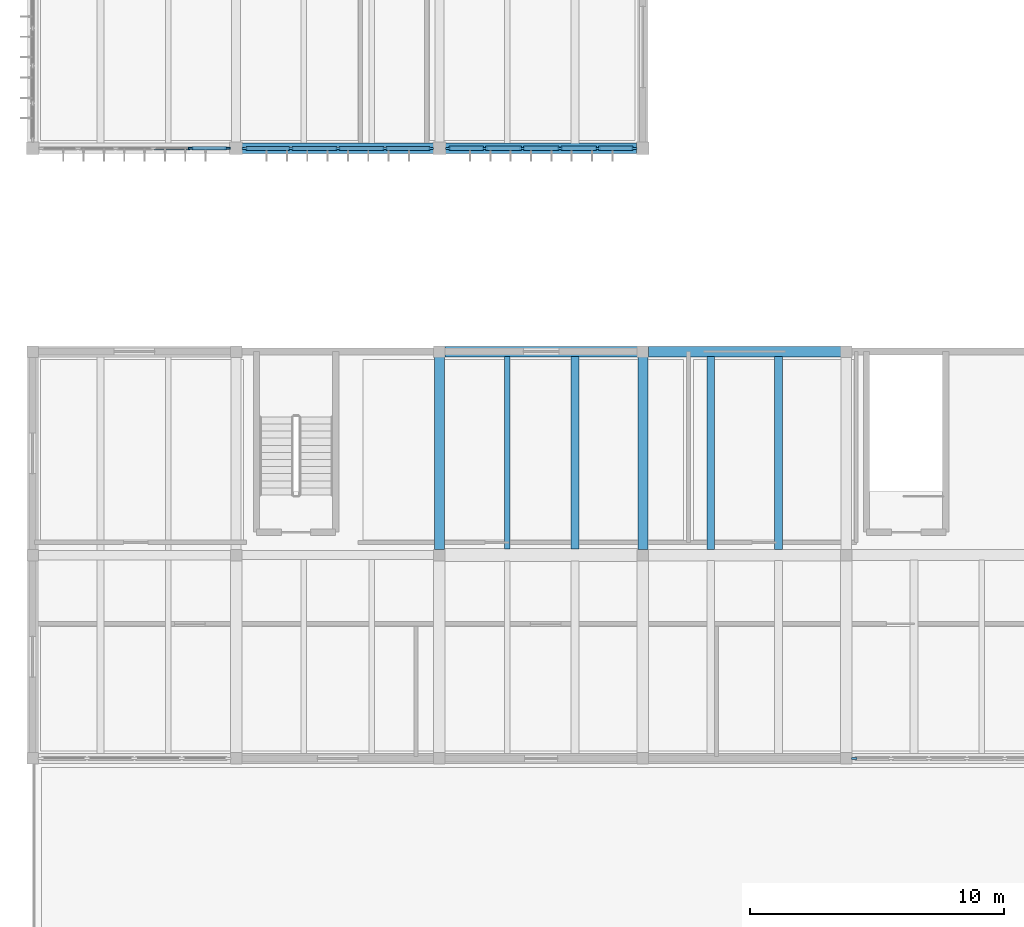
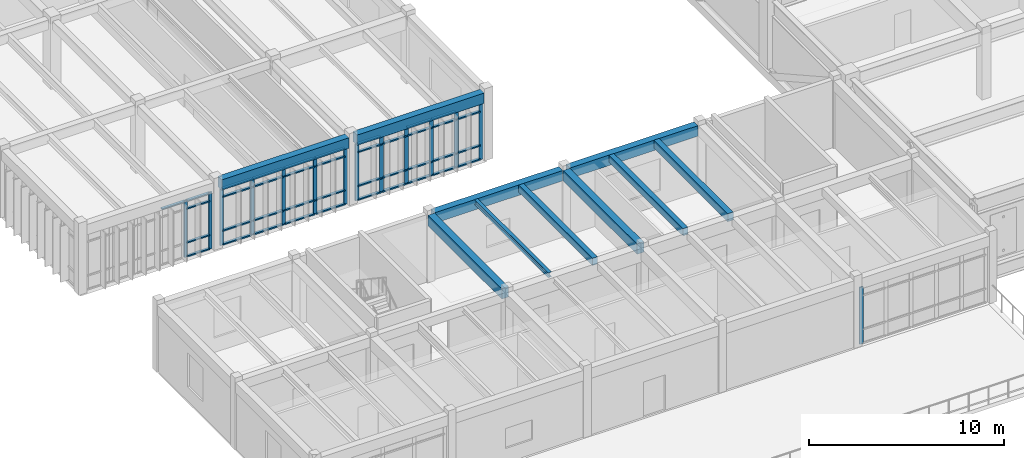
# One storey, part 4 of 79: 55 members, 10 beams, 4 elements without a shape of their own.
"""IFC4 building model written with IfcOpenShell, lengths in metres."""

from ifc_helpers import new_model, si_unit, direction, frame, origin, origin_2d, place, context, subcontext, project, spatial, rectangle, i_section, extrude, material, material_profile, profile_set, type_object, element, aggregate, save


model = new_model("IFC4")

# Units and contexts
model_context = context("Model", 3, precision=1e-05, world=origin(), true_north=direction((0.0, 1.0)))
body_context = subcontext(model_context, "Body", "Model", "MODEL_VIEW")
ifc_project = project(units=[si_unit("LENGTHUNIT", "METRE"), si_unit("AREAUNIT", "SQUARE_METRE"), si_unit("VOLUMEUNIT", "CUBIC_METRE"), si_unit("PLANEANGLEUNIT", "RADIAN"), si_unit("MASSUNIT", "GRAM", prefix="KILO")], contexts=[model_context])

# Site, building, storey
site_placement = place(None, origin())
site = spatial("IfcSite", under=ifc_project, at=site_placement, CompositionType="ELEMENT")
building_placement = place(site_placement, origin())
building = spatial("IfcBuilding", under=site, at=building_placement, Name="Tlaxcora Railside Police Headquarters", CompositionType="ELEMENT")
storey_placement = place(building_placement, frame((0.0, 0.0, 9.0)))
storey = spatial("IfcBuildingStorey", under=building, at=storey_placement, Name="L02", CompositionType="ELEMENT", Elevation=9.0)

# Curtain wall, member
ifc_material_1 = material(Name="Thermally broken low-E insulated glazing", Category="glass")
curtain_wall_type_1 = type_object("IfcCurtainWallType", Name="Unitised Curtain Wall Assembly CW-23", PredefinedType="NOTDEFINED", material=ifc_material_1)
curtain_wall_1_placement = place(storey_placement, origin())
curtain_wall_1 = element("IfcCurtainWall", 1, at=curtain_wall_1_placement, inside=storey, type_object=curtain_wall_type_1, Name="V4 L02 curtain wall 28", PredefinedType="NOTDEFINED")
ifc_material_2 = material(Name="Anodised aluminium framing", Category="aluminium")
ifc_material_profile_1 = material_profile(ifc_material_2, rectangle(XDim=0.080078125, YDim=0.219970703125, at=origin_2d()), Name="AL80X220")
ifc_profile_set_1 = profile_set([ifc_material_profile_1], Name="Anodised aluminium framing")
member_type_1 = type_object("IfcMemberType", Name="Curtain Wall Mullion CW-31", PredefinedType="MULLION", material=ifc_profile_set_1)
member_1_placement = place(storey_placement, frame((37.514892578125, 20.0, 0.0), z_axis=(0.0, 0.0, 1.0), x_axis=(0.0, 1.0, 0.0)))
member_1 = element("IfcMember", 2, at=member_1_placement, type_object=member_type_1, Name="CW mullion 1", PredefinedType="MULLION", context=body_context, shape_type="SweptSolid", body=[
    extrude(rectangle(XDim=0.080078125, YDim=0.219970703125, at=origin_2d()), origin(), (0.0, 0.0, 1.0), 3.550048828125),
])
aggregate(curtain_wall_1, [member_1])

# Curtain wall, members
curtain_wall_2_placement = place(storey_placement, origin())
curtain_wall_2 = element("IfcCurtainWall", 3, at=curtain_wall_2_placement, inside=storey, type_object=curtain_wall_type_1, Name="V5 L02 curtain wall 52", PredefinedType="NOTDEFINED")
member_2_placement = place(storey_placement, frame((21.5400390625, 44.0, 0.0), z_axis=(0.0, 0.0, 1.0), x_axis=(0.0, 1.0, 0.0)))
member_2 = element("IfcMember", 4, at=member_2_placement, type_object=member_type_1, Name="CW mullion 1", PredefinedType="MULLION", context=body_context, shape_type="SweptSolid", body=[
    extrude(rectangle(XDim=0.080078125, YDim=0.219970703125, at=origin_2d()), origin(), (0.0, 0.0, 1.0), 3.550048828125),
])
member_3_placement = place(storey_placement, frame((22.97998046875, 44.0, 0.0), z_axis=(0.0, 0.0, 1.0), x_axis=(0.0, 1.0, 0.0)))
member_3 = element("IfcMember", 5, at=member_3_placement, type_object=member_type_1, Name="CW mullion 2", PredefinedType="MULLION", context=body_context, shape_type="SweptSolid", body=[
    extrude(rectangle(XDim=0.080078125, YDim=0.219970703125, at=origin_2d()), origin(), (0.0, 0.0, 1.0), 3.550048828125),
])
member_4_placement = place(storey_placement, frame((24.4599609375, 44.0, 0.0), z_axis=(0.0, 0.0, 1.0), x_axis=(0.0, 1.0, 0.0)))
member_4 = element("IfcMember", 6, at=member_4_placement, type_object=member_type_1, Name="CW mullion 3", PredefinedType="MULLION", context=body_context, shape_type="SweptSolid", body=[
    extrude(rectangle(XDim=0.080078125, YDim=0.219970703125, at=origin_2d()), origin(), (0.0, 0.0, 1.0), 3.550048828125),
])
member_5_placement = place(storey_placement, frame((25.93994140625, 44.0, 0.0), z_axis=(0.0, 0.0, 1.0), x_axis=(0.0, 1.0, 0.0)))
member_5 = element("IfcMember", 7, at=member_5_placement, type_object=member_type_1, Name="CW mullion 4", PredefinedType="MULLION", context=body_context, shape_type="SweptSolid", body=[
    extrude(rectangle(XDim=0.080078125, YDim=0.219970703125, at=origin_2d()), origin(), (0.0, 0.0, 1.0), 3.550048828125),
])
member_6_placement = place(storey_placement, frame((27.419921875, 44.0, 0.0), z_axis=(0.0, 0.0, 1.0), x_axis=(0.0, 1.0, 0.0)))
member_6 = element("IfcMember", 8, at=member_6_placement, type_object=member_type_1, Name="CW mullion 5", PredefinedType="MULLION", context=body_context, shape_type="SweptSolid", body=[
    extrude(rectangle(XDim=0.080078125, YDim=0.219970703125, at=origin_2d()), origin(), (0.0, 0.0, 1.0), 3.550048828125),
])
member_7_placement = place(storey_placement, frame((28.860107421875, 44.0, 0.0), z_axis=(0.0, 0.0, 1.0), x_axis=(0.0, 1.0, 0.0)))
member_7 = element("IfcMember", 9, at=member_7_placement, type_object=member_type_1, Name="CW mullion 6", PredefinedType="MULLION", context=body_context, shape_type="SweptSolid", body=[
    extrude(rectangle(XDim=0.080078125, YDim=0.219970703125, at=origin_2d()), origin(), (0.0, 0.0, 1.0), 3.550048828125),
])

curtain_wall_type_2 = type_object("IfcCurtainWallType", Name="Unitised Curtain Wall Assembly CW-15", PredefinedType="NOTDEFINED", material=ifc_material_1)
curtain_wall_3_placement = place(storey_placement, origin())
curtain_wall_3 = element("IfcCurtainWall", 10, at=curtain_wall_3_placement, inside=storey, type_object=curtain_wall_type_2, Name="V5 L02 curtain wall 50", PredefinedType="NOTDEFINED")
ifc_material_profile_2 = material_profile(ifc_material_2, rectangle(XDim=0.074951171875, YDim=0.199951171875, at=origin_2d()), Name="AL75X200")
ifc_profile_set_2 = profile_set([ifc_material_profile_2], Name="Anodised aluminium framing")
member_type_2 = type_object("IfcMemberType", Name="Curtain Wall Mullion CW-58", PredefinedType="MULLION", material=ifc_profile_set_2)
member_8_placement = place(storey_placement, frame((11.419921875, 44.0, 0.0), z_axis=(0.0, 0.0, 1.0), x_axis=(0.0, 1.0, 0.0)))
member_8 = element("IfcMember", 11, at=member_8_placement, type_object=member_type_2, Name="CW mullion 5", PredefinedType="MULLION", context=body_context, shape_type="SweptSolid", body=[
    extrude(rectangle(XDim=0.074951171875, YDim=0.199951171875, at=origin_2d()), origin(), (0.0, 0.0, 1.0), 3.550048828125),
])
member_9_placement = place(storey_placement, frame((12.862548828125, 44.0, 0.0), z_axis=(0.0, 0.0, 1.0), x_axis=(0.0, 1.0, 0.0)))
member_9 = element("IfcMember", 12, at=member_9_placement, type_object=member_type_2, Name="CW mullion 6", PredefinedType="MULLION", context=body_context, shape_type="SweptSolid", body=[
    extrude(rectangle(XDim=0.074951171875, YDim=0.199951171875, at=origin_2d()), origin(), (0.0, 0.0, 1.0), 3.550048828125),
])

curtain_wall_type_3 = type_object("IfcCurtainWallType", Name="Unitised Curtain Wall Assembly CW-83", PredefinedType="NOTDEFINED", material=ifc_material_1)
curtain_wall_4_placement = place(storey_placement, origin())
curtain_wall_4 = element("IfcCurtainWall", 13, at=curtain_wall_4_placement, inside=storey, type_object=curtain_wall_type_3, Name="V5 L02 curtain wall 51", PredefinedType="NOTDEFINED")
ifc_material_profile_3 = material_profile(ifc_material_2, rectangle(XDim=0.080078125, YDim=0.2099609375, at=origin_2d()), Name="AL80X210")
ifc_profile_set_3 = profile_set([ifc_material_profile_3], Name="Anodised aluminium framing")
member_type_3 = type_object("IfcMemberType", Name="Curtain Wall Mullion CW-76", PredefinedType="MULLION", material=ifc_profile_set_3)
member_10_placement = place(storey_placement, frame((13.5400390625, 44.0, 0.0), z_axis=(0.0, 0.0, 1.0), x_axis=(0.0, 1.0, 0.0)))
member_10 = element("IfcMember", 14, at=member_10_placement, type_object=member_type_3, Name="CW mullion 1", PredefinedType="MULLION", context=body_context, shape_type="SweptSolid", body=[
    extrude(rectangle(XDim=0.080078125, YDim=0.2099609375, at=origin_2d()), origin(), (0.0, 0.0, 1.0), 3.550048828125),
])
member_11_placement = place(storey_placement, frame((15.35009765625, 44.0, 0.0), z_axis=(0.0, 0.0, 1.0), x_axis=(0.0, 1.0, 0.0)))
member_11 = element("IfcMember", 15, at=member_11_placement, type_object=member_type_3, Name="CW mullion 2", PredefinedType="MULLION", context=body_context, shape_type="SweptSolid", body=[
    extrude(rectangle(XDim=0.080078125, YDim=0.2099609375, at=origin_2d()), origin(), (0.0, 0.0, 1.0), 3.550048828125),
])
member_12_placement = place(storey_placement, frame((17.199951171875, 44.0, 0.0), z_axis=(0.0, 0.0, 1.0), x_axis=(0.0, 1.0, 0.0)))
member_12 = element("IfcMember", 16, at=member_12_placement, type_object=member_type_3, Name="CW mullion 3", PredefinedType="MULLION", context=body_context, shape_type="SweptSolid", body=[
    extrude(rectangle(XDim=0.080078125, YDim=0.2099609375, at=origin_2d()), origin(), (0.0, 0.0, 1.0), 3.550048828125),
])
member_13_placement = place(storey_placement, frame((19.050048828125, 44.0, 0.0), z_axis=(0.0, 0.0, 1.0), x_axis=(0.0, 1.0, 0.0)))
member_13 = element("IfcMember", 17, at=member_13_placement, type_object=member_type_3, Name="CW mullion 4", PredefinedType="MULLION", context=body_context, shape_type="SweptSolid", body=[
    extrude(rectangle(XDim=0.080078125, YDim=0.2099609375, at=origin_2d()), origin(), (0.0, 0.0, 1.0), 3.550048828125),
])
member_14_placement = place(storey_placement, frame((20.860107421875, 44.0, 0.0), z_axis=(0.0, 0.0, 1.0), x_axis=(0.0, 1.0, 0.0)))
member_14 = element("IfcMember", 18, at=member_14_placement, type_object=member_type_3, Name="CW mullion 5", PredefinedType="MULLION", context=body_context, shape_type="SweptSolid", body=[
    extrude(rectangle(XDim=0.080078125, YDim=0.2099609375, at=origin_2d()), origin(), (0.0, 0.0, 1.0), 3.550048828125),
])

# Member
ifc_material_profile_4 = material_profile(ifc_material_2, rectangle(XDim=0.14990234375, YDim=0.074951171875, at=origin_2d()), Name="AL75X150")
ifc_profile_set_4 = profile_set([ifc_material_profile_4], Name="Anodised aluminium framing")
member_type_4 = type_object("IfcMemberType", Name="Curtain Wall Transom CW-28", PredefinedType="USERDEFINED", material=ifc_profile_set_4)
member_15_placement = place(storey_placement, frame((9.9775390625, 44.0, 3.512451171875), z_axis=(1.0, 0.0, 0.0), x_axis=(0.0, 1.0, 0.0)))
member_15 = element("IfcMember", 19, at=member_15_placement, type_object=member_type_4, Name="CW transom 4.4", ObjectType="TRANSOM", PredefinedType="USERDEFINED", context=body_context, shape_type="SweptSolid", body=[
    extrude(rectangle(XDim=0.14990234375, YDim=0.074951171875, at=origin_2d()), origin(), (0.0, 0.0, 1.0), 1.405029296875),
])

member_16_placement = place(storey_placement, frame((11.45751953125, 44.0, 0.03759765625), z_axis=(1.0, 0.0, 0.0), x_axis=(0.0, 1.0, 0.0)))
member_16 = element("IfcMember", 20, at=member_16_placement, type_object=member_type_4, Name="CW transom 5.1", ObjectType="TRANSOM", PredefinedType="USERDEFINED", context=body_context, shape_type="SweptSolid", body=[
    extrude(rectangle(XDim=0.14990234375, YDim=0.074951171875, at=origin_2d()), origin(), (0.0, 0.0, 1.0), 1.367431640625),
])

member_17_placement = place(storey_placement, frame((11.45751953125, 44.0, 0.89990234375), z_axis=(1.0, 0.0, 0.0), x_axis=(0.0, 1.0, 0.0)))
member_17 = element("IfcMember", 21, at=member_17_placement, type_object=member_type_4, Name="CW transom 5.2", ObjectType="TRANSOM", PredefinedType="USERDEFINED", context=body_context, shape_type="SweptSolid", body=[
    extrude(rectangle(XDim=0.14990234375, YDim=0.074951171875, at=origin_2d()), origin(), (0.0, 0.0, 1.0), 1.367431640625),
])

member_18_placement = place(storey_placement, frame((11.45751953125, 44.0, 3.02001953125), z_axis=(1.0, 0.0, 0.0), x_axis=(0.0, 1.0, 0.0)))
member_18 = element("IfcMember", 22, at=member_18_placement, type_object=member_type_4, Name="CW transom 5.3", ObjectType="TRANSOM", PredefinedType="USERDEFINED", context=body_context, shape_type="SweptSolid", body=[
    extrude(rectangle(XDim=0.14990234375, YDim=0.074951171875, at=origin_2d()), origin(), (0.0, 0.0, 1.0), 1.367431640625),
])

member_19_placement = place(storey_placement, frame((11.45751953125, 44.0, 3.512451171875), z_axis=(1.0, 0.0, 0.0), x_axis=(0.0, 1.0, 0.0)))
member_19 = element("IfcMember", 23, at=member_19_placement, type_object=member_type_4, Name="CW transom 5.4", ObjectType="TRANSOM", PredefinedType="USERDEFINED", context=body_context, shape_type="SweptSolid", body=[
    extrude(rectangle(XDim=0.14990234375, YDim=0.074951171875, at=origin_2d()), origin(), (0.0, 0.0, 1.0), 1.367431640625),
])

aggregate(curtain_wall_3, [member_8, member_9, member_15, member_16, member_17, member_18, member_19])

ifc_material_profile_5 = material_profile(ifc_material_2, rectangle(XDim=0.1650390625, YDim=0.080078125, at=origin_2d()), Name="AL80X165")
ifc_profile_set_5 = profile_set([ifc_material_profile_5], Name="Anodised aluminium framing")
member_type_5 = type_object("IfcMemberType", Name="Curtain Wall Transom CW-62", PredefinedType="USERDEFINED", material=ifc_profile_set_5)
member_20_placement = place(storey_placement, frame((21.580078125, 44.0, 0.0400390625), z_axis=(1.0, 0.0, 0.0), x_axis=(0.0, 1.0, 0.0)))
member_20 = element("IfcMember", 24, at=member_20_placement, type_object=member_type_5, Name="CW transom 1.1", ObjectType="TRANSOM", PredefinedType="USERDEFINED", context=body_context, shape_type="SweptSolid", body=[
    extrude(rectangle(XDim=0.1650390625, YDim=0.080078125, at=origin_2d()), origin(), (0.0, 0.0, 1.0), 1.35986328125),
])

member_21_placement = place(storey_placement, frame((21.580078125, 44.0, 0.89990234375), z_axis=(1.0, 0.0, 0.0), x_axis=(0.0, 1.0, 0.0)))
member_21 = element("IfcMember", 25, at=member_21_placement, type_object=member_type_5, Name="CW transom 1.2", ObjectType="TRANSOM", PredefinedType="USERDEFINED", context=body_context, shape_type="SweptSolid", body=[
    extrude(rectangle(XDim=0.1650390625, YDim=0.080078125, at=origin_2d()), origin(), (0.0, 0.0, 1.0), 1.35986328125),
])

member_22_placement = place(storey_placement, frame((21.580078125, 44.0, 3.02001953125), z_axis=(1.0, 0.0, 0.0), x_axis=(0.0, 1.0, 0.0)))
member_22 = element("IfcMember", 26, at=member_22_placement, type_object=member_type_5, Name="CW transom 1.3", ObjectType="TRANSOM", PredefinedType="USERDEFINED", context=body_context, shape_type="SweptSolid", body=[
    extrude(rectangle(XDim=0.1650390625, YDim=0.080078125, at=origin_2d()), origin(), (0.0, 0.0, 1.0), 1.35986328125),
])

member_23_placement = place(storey_placement, frame((21.580078125, 44.0, 3.510009765625), z_axis=(1.0, 0.0, 0.0), x_axis=(0.0, 1.0, 0.0)))
member_23 = element("IfcMember", 27, at=member_23_placement, type_object=member_type_5, Name="CW transom 1.4", ObjectType="TRANSOM", PredefinedType="USERDEFINED", context=body_context, shape_type="SweptSolid", body=[
    extrude(rectangle(XDim=0.1650390625, YDim=0.080078125, at=origin_2d()), origin(), (0.0, 0.0, 1.0), 1.35986328125),
])

member_24_placement = place(storey_placement, frame((23.02001953125, 44.0, 0.0400390625), z_axis=(1.0, 0.0, 0.0), x_axis=(0.0, 1.0, 0.0)))
member_24 = element("IfcMember", 28, at=member_24_placement, type_object=member_type_5, Name="CW transom 2.1", ObjectType="TRANSOM", PredefinedType="USERDEFINED", context=body_context, shape_type="SweptSolid", body=[
    extrude(rectangle(XDim=0.1650390625, YDim=0.080078125, at=origin_2d()), origin(), (0.0, 0.0, 1.0), 1.39990234375),
])

member_25_placement = place(storey_placement, frame((23.02001953125, 44.0, 0.89990234375), z_axis=(1.0, 0.0, 0.0), x_axis=(0.0, 1.0, 0.0)))
member_25 = element("IfcMember", 29, at=member_25_placement, type_object=member_type_5, Name="CW transom 2.2", ObjectType="TRANSOM", PredefinedType="USERDEFINED", context=body_context, shape_type="SweptSolid", body=[
    extrude(rectangle(XDim=0.1650390625, YDim=0.080078125, at=origin_2d()), origin(), (0.0, 0.0, 1.0), 1.39990234375),
])

member_26_placement = place(storey_placement, frame((23.02001953125, 44.0, 3.02001953125), z_axis=(1.0, 0.0, 0.0), x_axis=(0.0, 1.0, 0.0)))
member_26 = element("IfcMember", 30, at=member_26_placement, type_object=member_type_5, Name="CW transom 2.3", ObjectType="TRANSOM", PredefinedType="USERDEFINED", context=body_context, shape_type="SweptSolid", body=[
    extrude(rectangle(XDim=0.1650390625, YDim=0.080078125, at=origin_2d()), origin(), (0.0, 0.0, 1.0), 1.39990234375),
])

member_27_placement = place(storey_placement, frame((23.02001953125, 44.0, 3.510009765625), z_axis=(1.0, 0.0, 0.0), x_axis=(0.0, 1.0, 0.0)))
member_27 = element("IfcMember", 31, at=member_27_placement, type_object=member_type_5, Name="CW transom 2.4", ObjectType="TRANSOM", PredefinedType="USERDEFINED", context=body_context, shape_type="SweptSolid", body=[
    extrude(rectangle(XDim=0.1650390625, YDim=0.080078125, at=origin_2d()), origin(), (0.0, 0.0, 1.0), 1.39990234375),
])

member_28_placement = place(storey_placement, frame((24.5, 44.0, 0.0400390625), z_axis=(1.0, 0.0, 0.0), x_axis=(0.0, 1.0, 0.0)))
member_28 = element("IfcMember", 32, at=member_28_placement, type_object=member_type_5, Name="CW transom 3.1", ObjectType="TRANSOM", PredefinedType="USERDEFINED", context=body_context, shape_type="SweptSolid", body=[
    extrude(rectangle(XDim=0.1650390625, YDim=0.080078125, at=origin_2d()), origin(), (0.0, 0.0, 1.0), 1.39990234375),
])

member_29_placement = place(storey_placement, frame((24.5, 44.0, 0.89990234375), z_axis=(1.0, 0.0, 0.0), x_axis=(0.0, 1.0, 0.0)))
member_29 = element("IfcMember", 33, at=member_29_placement, type_object=member_type_5, Name="CW transom 3.2", ObjectType="TRANSOM", PredefinedType="USERDEFINED", context=body_context, shape_type="SweptSolid", body=[
    extrude(rectangle(XDim=0.1650390625, YDim=0.080078125, at=origin_2d()), origin(), (0.0, 0.0, 1.0), 1.39990234375),
])

member_30_placement = place(storey_placement, frame((24.5, 44.0, 3.02001953125), z_axis=(1.0, 0.0, 0.0), x_axis=(0.0, 1.0, 0.0)))
member_30 = element("IfcMember", 34, at=member_30_placement, type_object=member_type_5, Name="CW transom 3.3", ObjectType="TRANSOM", PredefinedType="USERDEFINED", context=body_context, shape_type="SweptSolid", body=[
    extrude(rectangle(XDim=0.1650390625, YDim=0.080078125, at=origin_2d()), origin(), (0.0, 0.0, 1.0), 1.39990234375),
])

member_31_placement = place(storey_placement, frame((24.5, 44.0, 3.510009765625), z_axis=(1.0, 0.0, 0.0), x_axis=(0.0, 1.0, 0.0)))
member_31 = element("IfcMember", 35, at=member_31_placement, type_object=member_type_5, Name="CW transom 3.4", ObjectType="TRANSOM", PredefinedType="USERDEFINED", context=body_context, shape_type="SweptSolid", body=[
    extrude(rectangle(XDim=0.1650390625, YDim=0.080078125, at=origin_2d()), origin(), (0.0, 0.0, 1.0), 1.39990234375),
])

member_32_placement = place(storey_placement, frame((25.97998046875, 44.0, 0.0400390625), z_axis=(1.0, 0.0, 0.0), x_axis=(0.0, 1.0, 0.0)))
member_32 = element("IfcMember", 36, at=member_32_placement, type_object=member_type_5, Name="CW transom 4.1", ObjectType="TRANSOM", PredefinedType="USERDEFINED", context=body_context, shape_type="SweptSolid", body=[
    extrude(rectangle(XDim=0.1650390625, YDim=0.080078125, at=origin_2d()), origin(), (0.0, 0.0, 1.0), 1.39990234375),
])

member_33_placement = place(storey_placement, frame((25.97998046875, 44.0, 0.89990234375), z_axis=(1.0, 0.0, 0.0), x_axis=(0.0, 1.0, 0.0)))
member_33 = element("IfcMember", 37, at=member_33_placement, type_object=member_type_5, Name="CW transom 4.2", ObjectType="TRANSOM", PredefinedType="USERDEFINED", context=body_context, shape_type="SweptSolid", body=[
    extrude(rectangle(XDim=0.1650390625, YDim=0.080078125, at=origin_2d()), origin(), (0.0, 0.0, 1.0), 1.39990234375),
])

member_34_placement = place(storey_placement, frame((25.97998046875, 44.0, 3.02001953125), z_axis=(1.0, 0.0, 0.0), x_axis=(0.0, 1.0, 0.0)))
member_34 = element("IfcMember", 38, at=member_34_placement, type_object=member_type_5, Name="CW transom 4.3", ObjectType="TRANSOM", PredefinedType="USERDEFINED", context=body_context, shape_type="SweptSolid", body=[
    extrude(rectangle(XDim=0.1650390625, YDim=0.080078125, at=origin_2d()), origin(), (0.0, 0.0, 1.0), 1.39990234375),
])

member_35_placement = place(storey_placement, frame((25.97998046875, 44.0, 3.510009765625), z_axis=(1.0, 0.0, 0.0), x_axis=(0.0, 1.0, 0.0)))
member_35 = element("IfcMember", 39, at=member_35_placement, type_object=member_type_5, Name="CW transom 4.4", ObjectType="TRANSOM", PredefinedType="USERDEFINED", context=body_context, shape_type="SweptSolid", body=[
    extrude(rectangle(XDim=0.1650390625, YDim=0.080078125, at=origin_2d()), origin(), (0.0, 0.0, 1.0), 1.39990234375),
])

member_36_placement = place(storey_placement, frame((27.4599609375, 44.0, 0.0400390625), z_axis=(1.0, 0.0, 0.0), x_axis=(0.0, 1.0, 0.0)))
member_36 = element("IfcMember", 40, at=member_36_placement, type_object=member_type_5, Name="CW transom 5.1", ObjectType="TRANSOM", PredefinedType="USERDEFINED", context=body_context, shape_type="SweptSolid", body=[
    extrude(rectangle(XDim=0.1650390625, YDim=0.080078125, at=origin_2d()), origin(), (0.0, 0.0, 1.0), 1.360107421875),
])

member_37_placement = place(storey_placement, frame((27.4599609375, 44.0, 0.89990234375), z_axis=(1.0, 0.0, 0.0), x_axis=(0.0, 1.0, 0.0)))
member_37 = element("IfcMember", 41, at=member_37_placement, type_object=member_type_5, Name="CW transom 5.2", ObjectType="TRANSOM", PredefinedType="USERDEFINED", context=body_context, shape_type="SweptSolid", body=[
    extrude(rectangle(XDim=0.1650390625, YDim=0.080078125, at=origin_2d()), origin(), (0.0, 0.0, 1.0), 1.360107421875),
])

member_38_placement = place(storey_placement, frame((27.4599609375, 44.0, 3.02001953125), z_axis=(1.0, 0.0, 0.0), x_axis=(0.0, 1.0, 0.0)))
member_38 = element("IfcMember", 42, at=member_38_placement, type_object=member_type_5, Name="CW transom 5.3", ObjectType="TRANSOM", PredefinedType="USERDEFINED", context=body_context, shape_type="SweptSolid", body=[
    extrude(rectangle(XDim=0.1650390625, YDim=0.080078125, at=origin_2d()), origin(), (0.0, 0.0, 1.0), 1.360107421875),
])

member_39_placement = place(storey_placement, frame((27.4599609375, 44.0, 3.510009765625), z_axis=(1.0, 0.0, 0.0), x_axis=(0.0, 1.0, 0.0)))
member_39 = element("IfcMember", 43, at=member_39_placement, type_object=member_type_5, Name="CW transom 5.4", ObjectType="TRANSOM", PredefinedType="USERDEFINED", context=body_context, shape_type="SweptSolid", body=[
    extrude(rectangle(XDim=0.1650390625, YDim=0.080078125, at=origin_2d()), origin(), (0.0, 0.0, 1.0), 1.360107421875),
])

aggregate(curtain_wall_2, [member_2, member_3, member_4, member_5, member_6, member_7, member_20, member_21, member_22, member_23, member_24, member_25, member_26, member_27, member_28, member_29, member_30, member_31, member_32, member_33, member_34, member_35, member_36, member_37, member_38, member_39])

ifc_material_profile_6 = material_profile(ifc_material_2, rectangle(XDim=0.159912109375, YDim=0.080078125, at=origin_2d()), Name="AL80X160")
ifc_profile_set_6 = profile_set([ifc_material_profile_6], Name="Anodised aluminium framing")
member_type_6 = type_object("IfcMemberType", Name="Curtain Wall Transom CW-82", PredefinedType="USERDEFINED", material=ifc_profile_set_6)
member_40_placement = place(storey_placement, frame((13.580078125, 44.0, 0.0400390625), z_axis=(1.0, 0.0, 0.0), x_axis=(0.0, 1.0, 0.0)))
member_40 = element("IfcMember", 44, at=member_40_placement, type_object=member_type_6, Name="CW transom 1.1", ObjectType="TRANSOM", PredefinedType="USERDEFINED", context=body_context, shape_type="SweptSolid", body=[
    extrude(rectangle(XDim=0.159912109375, YDim=0.080078125, at=origin_2d()), origin(), (0.0, 0.0, 1.0), 1.72998046875),
])

member_41_placement = place(storey_placement, frame((13.580078125, 44.0, 0.89990234375), z_axis=(1.0, 0.0, 0.0), x_axis=(0.0, 1.0, 0.0)))
member_41 = element("IfcMember", 45, at=member_41_placement, type_object=member_type_6, Name="CW transom 1.2", ObjectType="TRANSOM", PredefinedType="USERDEFINED", context=body_context, shape_type="SweptSolid", body=[
    extrude(rectangle(XDim=0.159912109375, YDim=0.080078125, at=origin_2d()), origin(), (0.0, 0.0, 1.0), 1.72998046875),
])

member_42_placement = place(storey_placement, frame((13.580078125, 44.0, 3.02001953125), z_axis=(1.0, 0.0, 0.0), x_axis=(0.0, 1.0, 0.0)))
member_42 = element("IfcMember", 46, at=member_42_placement, type_object=member_type_6, Name="CW transom 1.3", ObjectType="TRANSOM", PredefinedType="USERDEFINED", context=body_context, shape_type="SweptSolid", body=[
    extrude(rectangle(XDim=0.159912109375, YDim=0.080078125, at=origin_2d()), origin(), (0.0, 0.0, 1.0), 1.72998046875),
])

member_43_placement = place(storey_placement, frame((13.580078125, 44.0, 3.510009765625), z_axis=(1.0, 0.0, 0.0), x_axis=(0.0, 1.0, 0.0)))
member_43 = element("IfcMember", 47, at=member_43_placement, type_object=member_type_6, Name="CW transom 1.4", ObjectType="TRANSOM", PredefinedType="USERDEFINED", context=body_context, shape_type="SweptSolid", body=[
    extrude(rectangle(XDim=0.159912109375, YDim=0.080078125, at=origin_2d()), origin(), (0.0, 0.0, 1.0), 1.72998046875),
])

member_44_placement = place(storey_placement, frame((15.389892578125, 44.0, 0.0400390625), z_axis=(1.0, 0.0, 0.0), x_axis=(0.0, 1.0, 0.0)))
member_44 = element("IfcMember", 48, at=member_44_placement, type_object=member_type_6, Name="CW transom 2.1", ObjectType="TRANSOM", PredefinedType="USERDEFINED", context=body_context, shape_type="SweptSolid", body=[
    extrude(rectangle(XDim=0.159912109375, YDim=0.080078125, at=origin_2d()), origin(), (0.0, 0.0, 1.0), 1.77001953125),
])

member_45_placement = place(storey_placement, frame((15.389892578125, 44.0, 0.89990234375), z_axis=(1.0, 0.0, 0.0), x_axis=(0.0, 1.0, 0.0)))
member_45 = element("IfcMember", 49, at=member_45_placement, type_object=member_type_6, Name="CW transom 2.2", ObjectType="TRANSOM", PredefinedType="USERDEFINED", context=body_context, shape_type="SweptSolid", body=[
    extrude(rectangle(XDim=0.159912109375, YDim=0.080078125, at=origin_2d()), origin(), (0.0, 0.0, 1.0), 1.77001953125),
])

member_46_placement = place(storey_placement, frame((15.389892578125, 44.0, 3.02001953125), z_axis=(1.0, 0.0, 0.0), x_axis=(0.0, 1.0, 0.0)))
member_46 = element("IfcMember", 50, at=member_46_placement, type_object=member_type_6, Name="CW transom 2.3", ObjectType="TRANSOM", PredefinedType="USERDEFINED", context=body_context, shape_type="SweptSolid", body=[
    extrude(rectangle(XDim=0.159912109375, YDim=0.080078125, at=origin_2d()), origin(), (0.0, 0.0, 1.0), 1.77001953125),
])

member_47_placement = place(storey_placement, frame((15.389892578125, 44.0, 3.510009765625), z_axis=(1.0, 0.0, 0.0), x_axis=(0.0, 1.0, 0.0)))
member_47 = element("IfcMember", 51, at=member_47_placement, type_object=member_type_6, Name="CW transom 2.4", ObjectType="TRANSOM", PredefinedType="USERDEFINED", context=body_context, shape_type="SweptSolid", body=[
    extrude(rectangle(XDim=0.159912109375, YDim=0.080078125, at=origin_2d()), origin(), (0.0, 0.0, 1.0), 1.77001953125),
])

member_48_placement = place(storey_placement, frame((17.239990234375, 44.0, 0.0400390625), z_axis=(1.0, 0.0, 0.0), x_axis=(0.0, 1.0, 0.0)))
member_48 = element("IfcMember", 52, at=member_48_placement, type_object=member_type_6, Name="CW transom 3.1", ObjectType="TRANSOM", PredefinedType="USERDEFINED", context=body_context, shape_type="SweptSolid", body=[
    extrude(rectangle(XDim=0.159912109375, YDim=0.080078125, at=origin_2d()), origin(), (0.0, 0.0, 1.0), 1.77001953125),
])

member_49_placement = place(storey_placement, frame((17.239990234375, 44.0, 0.89990234375), z_axis=(1.0, 0.0, 0.0), x_axis=(0.0, 1.0, 0.0)))
member_49 = element("IfcMember", 53, at=member_49_placement, type_object=member_type_6, Name="CW transom 3.2", ObjectType="TRANSOM", PredefinedType="USERDEFINED", context=body_context, shape_type="SweptSolid", body=[
    extrude(rectangle(XDim=0.159912109375, YDim=0.080078125, at=origin_2d()), origin(), (0.0, 0.0, 1.0), 1.77001953125),
])

member_50_placement = place(storey_placement, frame((17.239990234375, 44.0, 3.02001953125), z_axis=(1.0, 0.0, 0.0), x_axis=(0.0, 1.0, 0.0)))
member_50 = element("IfcMember", 54, at=member_50_placement, type_object=member_type_6, Name="CW transom 3.3", ObjectType="TRANSOM", PredefinedType="USERDEFINED", context=body_context, shape_type="SweptSolid", body=[
    extrude(rectangle(XDim=0.159912109375, YDim=0.080078125, at=origin_2d()), origin(), (0.0, 0.0, 1.0), 1.77001953125),
])

member_51_placement = place(storey_placement, frame((17.239990234375, 44.0, 3.510009765625), z_axis=(1.0, 0.0, 0.0), x_axis=(0.0, 1.0, 0.0)))
member_51 = element("IfcMember", 55, at=member_51_placement, type_object=member_type_6, Name="CW transom 3.4", ObjectType="TRANSOM", PredefinedType="USERDEFINED", context=body_context, shape_type="SweptSolid", body=[
    extrude(rectangle(XDim=0.159912109375, YDim=0.080078125, at=origin_2d()), origin(), (0.0, 0.0, 1.0), 1.77001953125),
])

member_52_placement = place(storey_placement, frame((19.090087890625, 44.0, 0.0400390625), z_axis=(1.0, 0.0, 0.0), x_axis=(0.0, 1.0, 0.0)))
member_52 = element("IfcMember", 56, at=member_52_placement, type_object=member_type_6, Name="CW transom 4.1", ObjectType="TRANSOM", PredefinedType="USERDEFINED", context=body_context, shape_type="SweptSolid", body=[
    extrude(rectangle(XDim=0.159912109375, YDim=0.080078125, at=origin_2d()), origin(), (0.0, 0.0, 1.0), 1.72998046875),
])

member_53_placement = place(storey_placement, frame((19.090087890625, 44.0, 0.89990234375), z_axis=(1.0, 0.0, 0.0), x_axis=(0.0, 1.0, 0.0)))
member_53 = element("IfcMember", 57, at=member_53_placement, type_object=member_type_6, Name="CW transom 4.2", ObjectType="TRANSOM", PredefinedType="USERDEFINED", context=body_context, shape_type="SweptSolid", body=[
    extrude(rectangle(XDim=0.159912109375, YDim=0.080078125, at=origin_2d()), origin(), (0.0, 0.0, 1.0), 1.72998046875),
])

member_54_placement = place(storey_placement, frame((19.090087890625, 44.0, 3.02001953125), z_axis=(1.0, 0.0, 0.0), x_axis=(0.0, 1.0, 0.0)))
member_54 = element("IfcMember", 58, at=member_54_placement, type_object=member_type_6, Name="CW transom 4.3", ObjectType="TRANSOM", PredefinedType="USERDEFINED", context=body_context, shape_type="SweptSolid", body=[
    extrude(rectangle(XDim=0.159912109375, YDim=0.080078125, at=origin_2d()), origin(), (0.0, 0.0, 1.0), 1.72998046875),
])

member_55_placement = place(storey_placement, frame((19.090087890625, 44.0, 3.510009765625), z_axis=(1.0, 0.0, 0.0), x_axis=(0.0, 1.0, 0.0)))
member_55 = element("IfcMember", 59, at=member_55_placement, type_object=member_type_6, Name="CW transom 4.4", ObjectType="TRANSOM", PredefinedType="USERDEFINED", context=body_context, shape_type="SweptSolid", body=[
    extrude(rectangle(XDim=0.159912109375, YDim=0.080078125, at=origin_2d()), origin(), (0.0, 0.0, 1.0), 1.72998046875),
])

aggregate(curtain_wall_4, [member_10, member_11, member_12, member_13, member_14, member_40, member_41, member_42, member_43, member_44, member_45, member_46, member_47, member_48, member_49, member_50, member_51, member_52, member_53, member_54, member_55])

# Beams
ifc_material_3 = material(Name="Concrete C40/50", Category="concrete")
ifc_material_profile_7 = material_profile(ifc_material_3, rectangle(XDim=0.39990234375, YDim=0.64990234375, at=origin_2d()), Name="RC400X650")
ifc_profile_set_7 = profile_set([ifc_material_profile_7], Name="Concrete C40/50")
beam_type_1 = type_object("IfcBeamType", Name="Perimeter Spandrel Beam BM-46", PredefinedType="SPANDREL", material=ifc_profile_set_7)
for number, where, z_axis, x_axis, name in (
    (60, (21.4150390625, 36.0, 3.89501953125), (1.0, 0.0, 0.0), (0.0, 1.0, 0.0), "V4 L02 X-girder Y=36.0"),
    (61, (29.4150390625, 36.0, 3.89501953125), (1.0, 0.0, 0.0), (0.0, 1.0, 0.0), "V4 L02 X-girder Y=36.0"),
):
    element("IfcBeam", number, at=place(storey_placement, frame(where, z_axis=z_axis, x_axis=x_axis)), inside=storey, type_object=beam_type_1, Name=name, PredefinedType="SPANDREL", context=body_context, shape_type="SweptSolid", body=[
        extrude(rectangle(XDim=0.39990234375, YDim=0.64990234375, at=origin_2d()), origin(), (0.0, 0.0, 1.0), 7.570068359375),
    ])
for number, where, z_axis, x_axis, name in (
    (62, (13.43994140625, 44.0, 3.89501953125), (1.0, 0.0, 0.0), (0.0, 1.0, 0.0), "V5 L02 X-girder Y=44.0"),
    (63, (21.43994140625, 44.0, 3.89501953125), (1.0, 0.0, 0.0), (0.0, 1.0, 0.0), "V5 L02 X-girder Y=44.0"),
):
    element("IfcBeam", number, at=place(storey_placement, frame(where, z_axis=z_axis, x_axis=x_axis)), inside=storey, type_object=beam_type_1, Name=name, PredefinedType="SPANDREL", context=body_context, shape_type="SweptSolid", body=[
        extrude(rectangle(XDim=0.39990234375, YDim=0.64990234375, at=origin_2d()), origin(), (0.0, 0.0, 1.0), 7.52001953125),
    ])
ifc_material_profile_8 = material_profile(ifc_material_3, rectangle(XDim=0.39990234375, YDim=0.64990234375, at=origin_2d()), Name="RC400X650")
ifc_profile_set_8 = profile_set([ifc_material_profile_8], Name="Concrete C40/50")
beam_type_2 = type_object("IfcBeamType", Name="Primary Frame Girder BM-41", PredefinedType="BEAM", material=ifc_profile_set_8)
for number, where, z_axis, x_axis, name in (
    (64, (21.199951171875, 28.215087890625, 3.89501953125), (0.0, 1.0, 0.0), (-1.0, 0.0, 0.0), "V4 L02 Y-girder X=21.2"),
    (65, (29.199951171875, 28.215087890625, 3.89501953125), (0.0, 1.0, 0.0), (-1.0, 0.0, 0.0), "V4 L02 Y-girder X=29.2"),
):
    element("IfcBeam", number, at=place(storey_placement, frame(where, z_axis=z_axis, x_axis=x_axis)), inside=storey, type_object=beam_type_2, Name=name, PredefinedType="BEAM", context=body_context, shape_type="SweptSolid", body=[
        extrude(rectangle(XDim=0.39990234375, YDim=0.64990234375, at=origin_2d()), origin(), (0.0, 0.0, 1.0), 7.56982421875),
    ])
ifc_material_4 = material(Name="Concrete C35/45", Category="concrete")
ifc_material_profile_9 = material_profile(ifc_material_4, rectangle(XDim=0.300048828125, YDim=0.449951171875, at=origin_2d()), Name="RC300X450")
ifc_profile_set_9 = profile_set([ifc_material_profile_9], Name="Concrete C35/45")
beam_type_3 = type_object("IfcBeamType", Name="Secondary Floor Joist BM-27", PredefinedType="JOIST", material=ifc_profile_set_9)
beam_1_placement = place(storey_placement, frame((26.533203125, 28.241943359375, 3.9951171875), z_axis=(0.0, 1.0, 0.0), x_axis=(-1.0, 0.0, 0.0)))
element("IfcBeam", 66, at=beam_1_placement, inside=storey, type_object=beam_type_3, Name="V4 L02 floor joist X=26.53", PredefinedType="JOIST", context=body_context, shape_type="SweptSolid", body=[
    extrude(rectangle(XDim=0.300048828125, YDim=0.449951171875, at=origin_2d()), origin(), (0.0, 0.0, 1.0), 7.566162109375),
])
beam_2_placement = place(storey_placement, frame((31.86669921875, 28.217041015625, 3.9951171875), z_axis=(0.0, 1.0, 0.0), x_axis=(-1.0, 0.0, 0.0)))
element("IfcBeam", 67, at=beam_2_placement, inside=storey, type_object=beam_type_3, Name="V4 L02 floor joist X=31.87", PredefinedType="JOIST", context=body_context, shape_type="SweptSolid", body=[
    extrude(rectangle(XDim=0.300048828125, YDim=0.449951171875, at=origin_2d()), origin(), (0.0, 0.0, 1.0), 7.591064453125),
])
ifc_material_profile_10 = material_profile(ifc_material_4, rectangle(XDim=0.320068359375, YDim=0.5, at=origin_2d()), Name="RC320X500")
ifc_profile_set_10 = profile_set([ifc_material_profile_10], Name="Concrete C35/45")
beam_type_4 = type_object("IfcBeamType", Name="Secondary Floor Joist BM-88", PredefinedType="JOIST", material=ifc_profile_set_10)
beam_3_placement = place(storey_placement, frame((34.533203125, 28.217041015625, 3.969970703125), z_axis=(0.0, 1.0, 0.0), x_axis=(-1.0, 0.0, 0.0)))
element("IfcBeam", 68, at=beam_3_placement, inside=storey, type_object=beam_type_4, Name="V4 L02 floor joist X=34.53", PredefinedType="JOIST", context=body_context, shape_type="SweptSolid", body=[
    extrude(rectangle(XDim=0.320068359375, YDim=0.5, at=origin_2d()), origin(), (0.0, 0.0, 1.0), 7.591064453125),
])
ifc_material_5 = material(Name="Steel ASTM A992 Grade 50", Category="steel")
ifc_material_profile_11 = material_profile(ifc_material_5, i_section(OverallWidth=0.202880859375, OverallDepth=0.302978515625, WebThickness=0.007568359375, FlangeThickness=0.01318359375, at=origin_2d()), Name="W12X40")
ifc_profile_set_11 = profile_set([ifc_material_profile_11], Name="Steel ASTM A992 Grade 50")
beam_type_5 = type_object("IfcBeamType", Name="Secondary Floor Joist BM-96", PredefinedType="JOIST", material=ifc_profile_set_11)
beam_4_placement = place(storey_placement, frame((23.86669921875, 28.241943359375, 4.068603515625), z_axis=(0.0, 1.0, 0.0), x_axis=(-1.0, 0.0, 0.0)))
element("IfcBeam", 69, at=beam_4_placement, inside=storey, type_object=beam_type_5, Name="V4 L02 floor joist X=23.87", PredefinedType="JOIST", context=body_context, shape_type="SweptSolid", body=[
    extrude(i_section(OverallWidth=0.202880859375, OverallDepth=0.302978515625, WebThickness=0.007568359375, FlangeThickness=0.01318359375, at=origin_2d()), origin(), (0.0, 0.0, 1.0), 7.566162109375),
])

save(model, "model.ifc")
